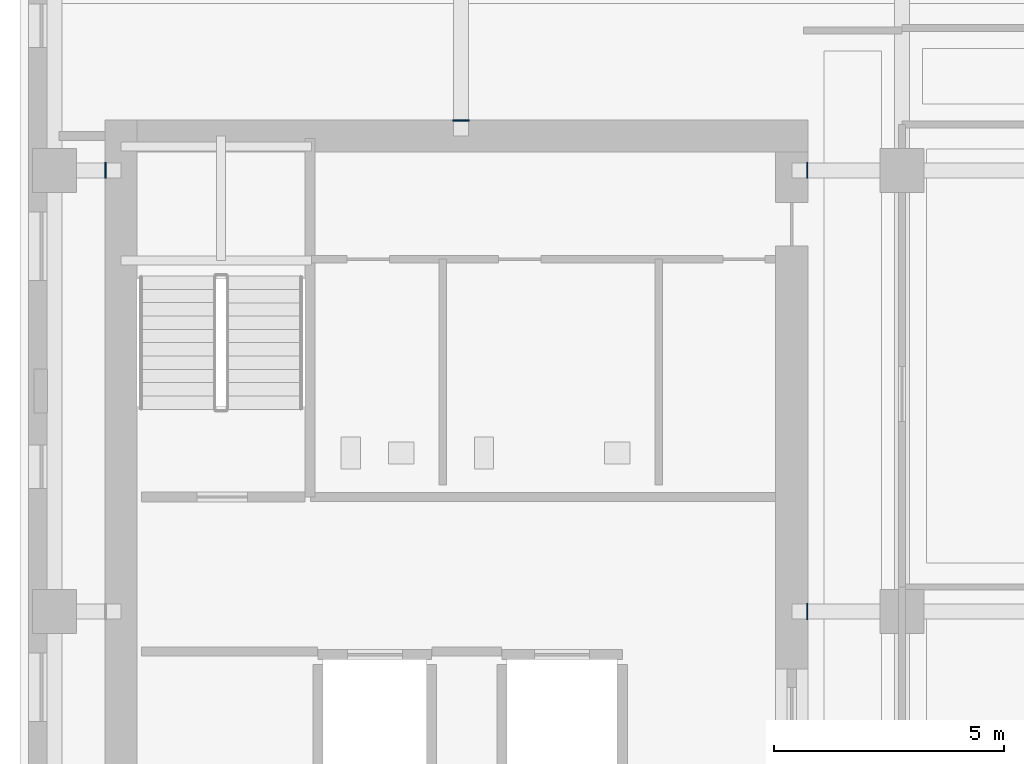
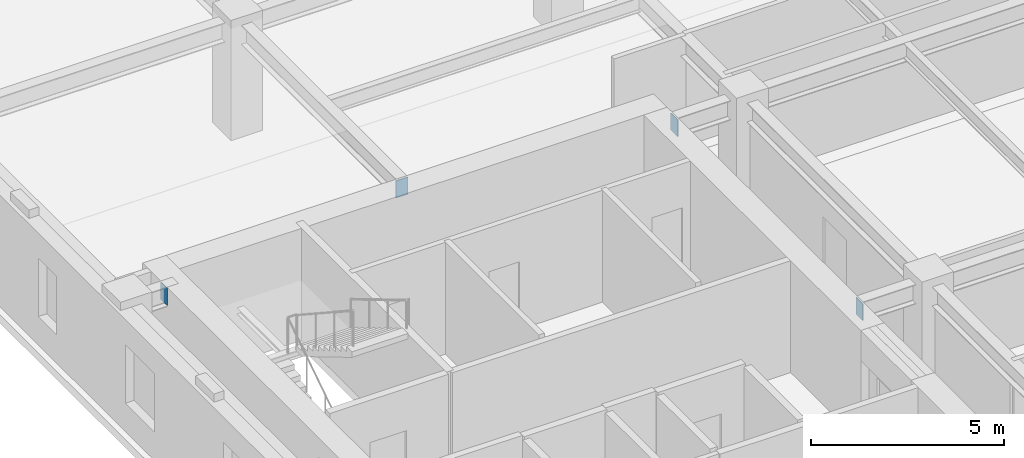
# One storey, part 9 of 14: 4 discrete accessories.
"""IFC4 building model written with IfcOpenShell, lengths in metres."""

from ifc_helpers import new_model, si_unit, direction, frame, origin, origin_2d, place, context, subcontext, project, spatial, rectangle, extrude, material, layer, layer_set, type_object, element, save


model = new_model("IFC4")

# Units and contexts
model_context = context("Model", 3, precision=1e-05, world=origin(), true_north=direction((0.0, 1.0)))
body_context = subcontext(model_context, "Body", "Model", "MODEL_VIEW")
ifc_project = project(units=[si_unit("LENGTHUNIT", "METRE"), si_unit("AREAUNIT", "SQUARE_METRE"), si_unit("VOLUMEUNIT", "CUBIC_METRE"), si_unit("PLANEANGLEUNIT", "RADIAN"), si_unit("MASSUNIT", "GRAM", prefix="KILO")], contexts=[model_context])

# Site, building, storey
site_placement = place(None, origin())
site = spatial("IfcSite", under=ifc_project, at=site_placement, CompositionType="ELEMENT")
building_placement = place(site_placement, origin())
building = spatial("IfcBuilding", under=site, at=building_placement, Name="Norrvale University Quadrangle", CompositionType="ELEMENT")
storey_placement = place(building_placement, frame((0.0, 0.0, 156.0)))
storey = spatial("IfcBuildingStorey", under=building, at=storey_placement, Name="L39", CompositionType="ELEMENT", Elevation=156.0)

# Discrete accessories
ifc_material = material(Name="Steel 350W", Category="steel")
ifc_layer = layer(ifc_material, 0.02490234375, Name="Steel 350W")
ifc_layer_set = layer_set([ifc_layer], Name="Steel 350W")
discrete_accessory_type = type_object("IfcDiscreteAccessoryType", Name="Accessory Cast In Embed Plate", PredefinedType="ANCHORPLATE", material=ifc_layer_set)
for number, where, z_axis, x_axis, name in (
    (1, (17.137451171875, 37.64990234375, 2.9599609375), (0.0, 0.0, 1.0), (1.0, 0.0, 0.0), "Core Wall Cast-in Embed Plate L39-GCE067"),
    (2, (1.862548828125, 47.25, 2.9599609375), (0.0, 0.0, 1.0), (1.0, 0.0, 0.0), "Core Wall Cast-in Embed Plate L39-GCW068"),
    (3, (17.137451171875, 47.25, 2.9599609375), (0.0, 0.0, 1.0), (1.0, 0.0, 0.0), "Core Wall Cast-in Embed Plate L39-GCE069"),
):
    element("IfcDiscreteAccessory", number, at=place(storey_placement, frame(where, z_axis=z_axis, x_axis=x_axis)), inside=storey, type_object=discrete_accessory_type, Name=name, PredefinedType="ANCHORPLATE", context=body_context, shape_type="SweptSolid", body=[
        extrude(rectangle(XDim=0.02490234375, YDim=0.35009765625, at=origin_2d()), origin(), (0.0, 0.0, 1.0), 0.5400390625),
    ])
discrete_accessory_placement = place(storey_placement, frame((9.60009765625, 48.33740234375, 2.9599609375), z_axis=(0.0, 0.0, 1.0), x_axis=(1.0, 0.0, 0.0)))
element("IfcDiscreteAccessory", 4, at=discrete_accessory_placement, inside=storey, type_object=discrete_accessory_type, Name="Core Wall Cast-in Embed Plate L39-GCN091", PredefinedType="ANCHORPLATE", context=body_context, shape_type="SweptSolid", body=[
    extrude(rectangle(XDim=0.35009765625, YDim=0.02490234375, at=origin_2d()), origin(), (0.0, 0.0, 1.0), 0.5400390625),
])

save(model, "model.ifc")
